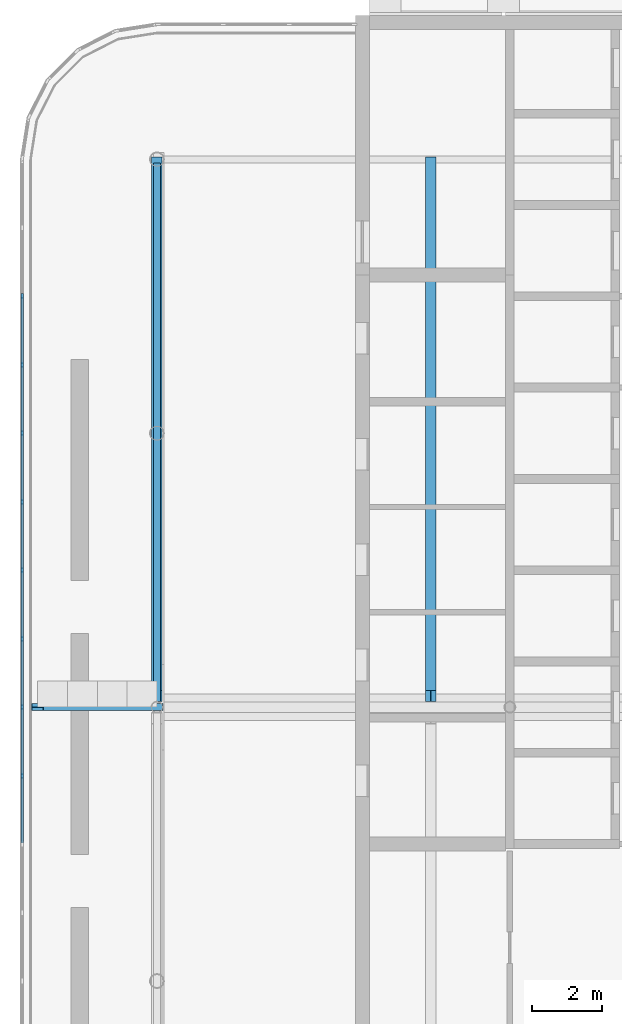
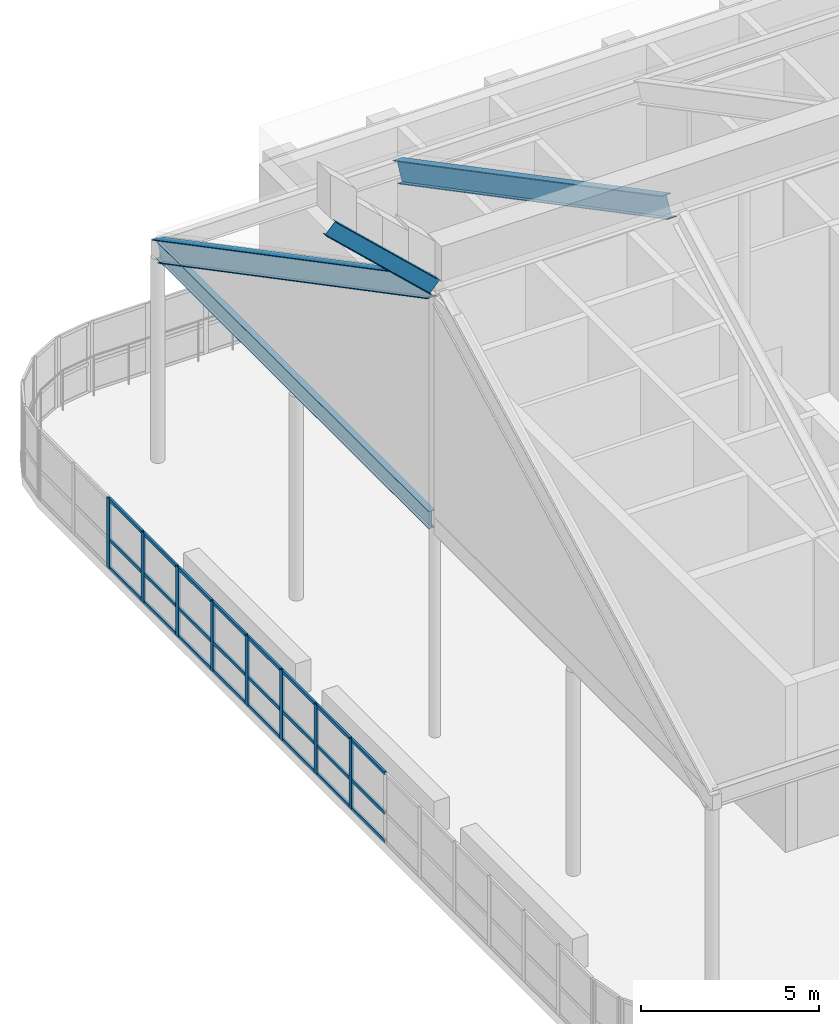
# One storey, part 7 of 19: 32 members, 4 beams, 1 element without a shape of its own.
"""IFC4 building model written with IfcOpenShell, lengths in metres."""

from ifc_helpers import new_model, si_unit, direction, frame, origin, origin_2d, place, context, subcontext, project, spatial, rectangle, i_section, extrude, material, material_profile, profile_set, type_object, element, aggregate, save


model = new_model("IFC4")

# Units and contexts
model_context = context("Model", 3, precision=1e-05, world=origin(), true_north=direction((0.0, 1.0)))
body_context = subcontext(model_context, "Body", "Model", "MODEL_VIEW")
ifc_project = project(units=[si_unit("LENGTHUNIT", "METRE"), si_unit("AREAUNIT", "SQUARE_METRE"), si_unit("VOLUMEUNIT", "CUBIC_METRE"), si_unit("PLANEANGLEUNIT", "RADIAN"), si_unit("MASSUNIT", "GRAM", prefix="KILO")], contexts=[model_context])

# Site, building, storey
site_placement = place(None, origin())
site = spatial("IfcSite", under=ifc_project, at=site_placement, CompositionType="ELEMENT")
building_placement = place(site_placement, origin())
building = spatial("IfcBuilding", under=site, at=building_placement, Name="Ludao Terraces", CompositionType="ELEMENT")
storey_placement = place(building_placement, frame((0.0, 0.0, 266.39990234375)))
storey = spatial("IfcBuildingStorey", under=building, at=storey_placement, Name="L73", CompositionType="ELEMENT", Elevation=266.39990234375)

# Beams
ifc_material_1 = material(Name="Steel Q355", Category="steel")
ifc_material_profile_1 = material_profile(ifc_material_1, i_section(OverallWidth=0.199951171875, OverallDepth=0.60009765625, WebThickness=0.010986328125, FlangeThickness=0.01708984375, at=origin_2d()), Name="HN 600X200X11X17")
ifc_profile_set_1 = profile_set([ifc_material_profile_1], Name="Steel Q355")
beam_type_1 = type_object("IfcBeamType", Name="Canopy eave beam HN 600x200x11x17 Q355", PredefinedType="BEAM", material=ifc_profile_set_1)
beam_1_placement = place(storey_placement, frame((69.39990234375, 65.16748046875, 7.29541015625), z_axis=(0.0, 1.0, 0.0), x_axis=(-1.0, 0.0, 0.0)))
element("IfcBeam", 1, at=beam_1_placement, inside=storey, type_object=beam_type_1, Name="Gable tie beam W north", PredefinedType="BEAM", context=body_context, shape_type="SweptSolid", body=[
    extrude(i_section(OverallWidth=0.199951171875, OverallDepth=0.60009765625, WebThickness=0.010986328125, FlangeThickness=0.01708984375, at=origin_2d()), origin(), (0.0, 0.0, 1.0), 15.33251953125),
])
ifc_material_profile_2 = material_profile(ifc_material_1, i_section(OverallWidth=0.300048828125, OverallDepth=0.699951171875, WebThickness=0.012939453125, FlangeThickness=0.02392578125, at=origin_2d()), Name="HN 700X300X13X24")
ifc_profile_set_2 = profile_set([ifc_material_profile_2], Name="Steel Q355")
beam_type_2 = type_object("IfcBeamType", Name="Canopy rafter HN 700x300x13x24 Q355", PredefinedType="BEAM", material=ifc_profile_set_2)
for number, where, z_axis, x_axis, name in (
    (2, (69.39990234375, 80.5, 7.252685546875), (0.0, -0.885167271236, 0.465272932732), (1.0, 0.0, 0.0), "Canopy rafter north 78"),
    (3, (77.199951171875, 80.5, 7.252685546875), (0.0, -0.885167271236, 0.465272932732), (1.0, 0.0, 0.0), "Canopy rafter north 156"),
):
    element("IfcBeam", number, at=place(storey_placement, frame(where, z_axis=z_axis, x_axis=x_axis)), inside=storey, type_object=beam_type_2, Name=name, PredefinedType="BEAM", context=body_context, shape_type="SweptSolid", body=[
        extrude(i_section(OverallWidth=0.300048828125, OverallDepth=0.699951171875, WebThickness=0.012939453125, FlangeThickness=0.02392578125, at=origin_2d()), origin(), (0.0, 0.0, 1.0), 17.151611328125),
    ])
ifc_material_profile_3 = material_profile(ifc_material_1, i_section(OverallWidth=0.199951171875, OverallDepth=0.5, WebThickness=0.010009765625, FlangeThickness=0.01611328125, at=origin_2d()), Name="HN 500X200X10X16")
ifc_profile_set_3 = profile_set([ifc_material_profile_3], Name="Steel Q355")
beam_type_3 = type_object("IfcBeamType", Name="Canopy tail beam HN 500x200x10x16 Q355", PredefinedType="BEAM", material=ifc_profile_set_3)
beam_2_placement = place(storey_placement, frame((69.39990234375, 65.0, 15.401611328125), z_axis=(-0.728351985283, 0.0, 0.685203170989), x_axis=(0.0, -1.0, 0.0)))
element("IfcBeam", 4, at=beam_2_placement, inside=storey, type_object=beam_type_3, Name="Canopy tail west", PredefinedType="BEAM", context=body_context, shape_type="SweptSolid", body=[
    extrude(i_section(OverallWidth=0.199951171875, OverallDepth=0.5, WebThickness=0.010009765625, FlangeThickness=0.01611328125, at=origin_2d()), origin(), (0.0, 0.0, 1.0), 4.66796875),
])

# Curtain wall, members
ifc_material_2 = material(Name="Aluminium curtain wall with fritted glass", Category="aluminium")
curtain_wall_type = type_object("IfcCurtainWallType", Name="ENV CW6 crown screen glazing", PredefinedType="NOTDEFINED", material=ifc_material_2)
curtain_wall_placement = place(storey_placement, origin())
curtain_wall = element("IfcCurtainWall", 5, at=curtain_wall_placement, inside=storey, type_object=curtain_wall_type, Name="Deck windscreen W1", PredefinedType="NOTDEFINED")
ifc_material_3 = material(Name="Aluminium 6063-T6", Category="aluminium")
ifc_material_profile_4 = material_profile(ifc_material_3, rectangle(XDim=0.070068359375, YDim=0.159912109375, at=origin_2d()), Name="70 X 160")
ifc_profile_set_4 = profile_set([ifc_material_profile_4], Name="Aluminium 6063-T6")
member_type_1 = type_object("IfcMemberType", Name="ENV CW6 mullion 70x160", PredefinedType="MULLION", material=ifc_profile_set_4)
member_1_placement = place(storey_placement, frame((65.56005859375, 63.050048828125, 0.0), z_axis=(0.0, 0.0, 1.0), x_axis=(-1.0, 0.0, 0.0)))
member_1 = element("IfcMember", 6, at=member_1_placement, type_object=member_type_1, Name="CW6 mullion 8", PredefinedType="MULLION", context=body_context, shape_type="SweptSolid", body=[
    extrude(rectangle(XDim=0.070068359375, YDim=0.159912109375, at=origin_2d()), origin(), (0.0, 0.0, 1.0), 2.400146484375),
])
member_2_placement = place(storey_placement, frame((65.56005859375, 65.0, 0.0), z_axis=(0.0, 0.0, 1.0), x_axis=(-1.0, 0.0, 0.0)))
member_2 = element("IfcMember", 7, at=member_2_placement, type_object=member_type_1, Name="CW6 mullion 9", PredefinedType="MULLION", context=body_context, shape_type="SweptSolid", body=[
    extrude(rectangle(XDim=0.070068359375, YDim=0.159912109375, at=origin_2d()), origin(), (0.0, 0.0, 1.0), 2.400146484375),
])
member_3_placement = place(storey_placement, frame((65.56005859375, 66.949951171875, 0.0), z_axis=(0.0, 0.0, 1.0), x_axis=(-1.0, 0.0, 0.0)))
member_3 = element("IfcMember", 8, at=member_3_placement, type_object=member_type_1, Name="CW6 mullion 10", PredefinedType="MULLION", context=body_context, shape_type="SweptSolid", body=[
    extrude(rectangle(XDim=0.070068359375, YDim=0.159912109375, at=origin_2d()), origin(), (0.0, 0.0, 1.0), 2.400146484375),
])
member_4_placement = place(storey_placement, frame((65.56005859375, 68.89990234375, 0.0), z_axis=(0.0, 0.0, 1.0), x_axis=(-1.0, 0.0, 0.0)))
member_4 = element("IfcMember", 9, at=member_4_placement, type_object=member_type_1, Name="CW6 mullion 11", PredefinedType="MULLION", context=body_context, shape_type="SweptSolid", body=[
    extrude(rectangle(XDim=0.070068359375, YDim=0.159912109375, at=origin_2d()), origin(), (0.0, 0.0, 1.0), 2.400146484375),
])
member_5_placement = place(storey_placement, frame((65.56005859375, 70.85009765625, 0.0), z_axis=(0.0, 0.0, 1.0), x_axis=(-1.0, 0.0, 0.0)))
member_5 = element("IfcMember", 10, at=member_5_placement, type_object=member_type_1, Name="CW6 mullion 12", PredefinedType="MULLION", context=body_context, shape_type="SweptSolid", body=[
    extrude(rectangle(XDim=0.070068359375, YDim=0.159912109375, at=origin_2d()), origin(), (0.0, 0.0, 1.0), 2.400146484375),
])
member_6_placement = place(storey_placement, frame((65.56005859375, 72.800048828125, 0.0), z_axis=(0.0, 0.0, 1.0), x_axis=(-1.0, 0.0, 0.0)))
member_6 = element("IfcMember", 11, at=member_6_placement, type_object=member_type_1, Name="CW6 mullion 13", PredefinedType="MULLION", context=body_context, shape_type="SweptSolid", body=[
    extrude(rectangle(XDim=0.070068359375, YDim=0.159912109375, at=origin_2d()), origin(), (0.0, 0.0, 1.0), 2.400146484375),
])
member_7_placement = place(storey_placement, frame((65.56005859375, 74.75, 0.0), z_axis=(0.0, 0.0, 1.0), x_axis=(-1.0, 0.0, 0.0)))
member_7 = element("IfcMember", 12, at=member_7_placement, type_object=member_type_1, Name="CW6 mullion 14", PredefinedType="MULLION", context=body_context, shape_type="SweptSolid", body=[
    extrude(rectangle(XDim=0.070068359375, YDim=0.159912109375, at=origin_2d()), origin(), (0.0, 0.0, 1.0), 2.400146484375),
])
member_8_placement = place(storey_placement, frame((65.56005859375, 76.699951171875, 0.0), z_axis=(0.0, 0.0, 1.0), x_axis=(-1.0, 0.0, 0.0)))
member_8 = element("IfcMember", 13, at=member_8_placement, type_object=member_type_1, Name="CW6 mullion 15", PredefinedType="MULLION", context=body_context, shape_type="SweptSolid", body=[
    extrude(rectangle(XDim=0.070068359375, YDim=0.159912109375, at=origin_2d()), origin(), (0.0, 0.0, 1.0), 2.400146484375),
])
ifc_material_profile_5 = material_profile(ifc_material_3, rectangle(XDim=0.070068359375, YDim=0.110107421875, at=origin_2d()), Name="70 X 110")
ifc_profile_set_5 = profile_set([ifc_material_profile_5], Name="Aluminium 6063-T6")
member_type_2 = type_object("IfcMemberType", Name="ENV CW6 transom 70x110", PredefinedType="USERDEFINED", material=ifc_profile_set_5)
member_9_placement = place(storey_placement, frame((65.56005859375, 61.135009765625, 0.03515625), z_axis=(0.0, 1.0, 0.0), x_axis=(-1.0, 0.0, 0.0)))
member_9 = element("IfcMember", 14, at=member_9_placement, type_object=member_type_2, Name="CW6 transom 7.1", ObjectType="TRANSOM", PredefinedType="USERDEFINED", context=body_context, shape_type="SweptSolid", body=[
    extrude(rectangle(XDim=0.070068359375, YDim=0.110107421875, at=origin_2d()), origin(), (0.0, 0.0, 1.0), 1.8798828125),
])
member_10_placement = place(storey_placement, frame((65.56005859375, 61.135009765625, 1.0), z_axis=(0.0, 1.0, 0.0), x_axis=(-1.0, 0.0, 0.0)))
member_10 = element("IfcMember", 15, at=member_10_placement, type_object=member_type_2, Name="CW6 transom 7.2", ObjectType="TRANSOM", PredefinedType="USERDEFINED", context=body_context, shape_type="SweptSolid", body=[
    extrude(rectangle(XDim=0.070068359375, YDim=0.110107421875, at=origin_2d()), origin(), (0.0, 0.0, 1.0), 1.8798828125),
])
member_11_placement = place(storey_placement, frame((65.56005859375, 61.135009765625, 2.364990234375), z_axis=(0.0, 1.0, 0.0), x_axis=(-1.0, 0.0, 0.0)))
member_11 = element("IfcMember", 16, at=member_11_placement, type_object=member_type_2, Name="CW6 transom 7.3", ObjectType="TRANSOM", PredefinedType="USERDEFINED", context=body_context, shape_type="SweptSolid", body=[
    extrude(rectangle(XDim=0.070068359375, YDim=0.110107421875, at=origin_2d()), origin(), (0.0, 0.0, 1.0), 1.8798828125),
])
member_12_placement = place(storey_placement, frame((65.56005859375, 63.0849609375, 0.03515625), z_axis=(0.0, 1.0, 0.0), x_axis=(-1.0, 0.0, 0.0)))
member_12 = element("IfcMember", 17, at=member_12_placement, type_object=member_type_2, Name="CW6 transom 8.1", ObjectType="TRANSOM", PredefinedType="USERDEFINED", context=body_context, shape_type="SweptSolid", body=[
    extrude(rectangle(XDim=0.070068359375, YDim=0.110107421875, at=origin_2d()), origin(), (0.0, 0.0, 1.0), 1.880126953125),
])
member_13_placement = place(storey_placement, frame((65.56005859375, 63.0849609375, 1.0), z_axis=(0.0, 1.0, 0.0), x_axis=(-1.0, 0.0, 0.0)))
member_13 = element("IfcMember", 18, at=member_13_placement, type_object=member_type_2, Name="CW6 transom 8.2", ObjectType="TRANSOM", PredefinedType="USERDEFINED", context=body_context, shape_type="SweptSolid", body=[
    extrude(rectangle(XDim=0.070068359375, YDim=0.110107421875, at=origin_2d()), origin(), (0.0, 0.0, 1.0), 1.880126953125),
])
member_14_placement = place(storey_placement, frame((65.56005859375, 63.0849609375, 2.364990234375), z_axis=(0.0, 1.0, 0.0), x_axis=(-1.0, 0.0, 0.0)))
member_14 = element("IfcMember", 19, at=member_14_placement, type_object=member_type_2, Name="CW6 transom 8.3", ObjectType="TRANSOM", PredefinedType="USERDEFINED", context=body_context, shape_type="SweptSolid", body=[
    extrude(rectangle(XDim=0.070068359375, YDim=0.110107421875, at=origin_2d()), origin(), (0.0, 0.0, 1.0), 1.880126953125),
])
member_15_placement = place(storey_placement, frame((65.56005859375, 65.034912109375, 0.03515625), z_axis=(0.0, 1.0, 0.0), x_axis=(-1.0, 0.0, 0.0)))
member_15 = element("IfcMember", 20, at=member_15_placement, type_object=member_type_2, Name="CW6 transom 9.1", ObjectType="TRANSOM", PredefinedType="USERDEFINED", context=body_context, shape_type="SweptSolid", body=[
    extrude(rectangle(XDim=0.070068359375, YDim=0.110107421875, at=origin_2d()), origin(), (0.0, 0.0, 1.0), 1.880126953125),
])
member_16_placement = place(storey_placement, frame((65.56005859375, 65.034912109375, 1.0), z_axis=(0.0, 1.0, 0.0), x_axis=(-1.0, 0.0, 0.0)))
member_16 = element("IfcMember", 21, at=member_16_placement, type_object=member_type_2, Name="CW6 transom 9.2", ObjectType="TRANSOM", PredefinedType="USERDEFINED", context=body_context, shape_type="SweptSolid", body=[
    extrude(rectangle(XDim=0.070068359375, YDim=0.110107421875, at=origin_2d()), origin(), (0.0, 0.0, 1.0), 1.880126953125),
])
member_17_placement = place(storey_placement, frame((65.56005859375, 65.034912109375, 2.364990234375), z_axis=(0.0, 1.0, 0.0), x_axis=(-1.0, 0.0, 0.0)))
member_17 = element("IfcMember", 22, at=member_17_placement, type_object=member_type_2, Name="CW6 transom 9.3", ObjectType="TRANSOM", PredefinedType="USERDEFINED", context=body_context, shape_type="SweptSolid", body=[
    extrude(rectangle(XDim=0.070068359375, YDim=0.110107421875, at=origin_2d()), origin(), (0.0, 0.0, 1.0), 1.880126953125),
])
member_18_placement = place(storey_placement, frame((65.56005859375, 66.985107421875, 0.03515625), z_axis=(0.0, 1.0, 0.0), x_axis=(-1.0, 0.0, 0.0)))
member_18 = element("IfcMember", 23, at=member_18_placement, type_object=member_type_2, Name="CW6 transom 10.1", ObjectType="TRANSOM", PredefinedType="USERDEFINED", context=body_context, shape_type="SweptSolid", body=[
    extrude(rectangle(XDim=0.070068359375, YDim=0.110107421875, at=origin_2d()), origin(), (0.0, 0.0, 1.0), 1.8798828125),
])
member_19_placement = place(storey_placement, frame((65.56005859375, 66.985107421875, 1.0), z_axis=(0.0, 1.0, 0.0), x_axis=(-1.0, 0.0, 0.0)))
member_19 = element("IfcMember", 24, at=member_19_placement, type_object=member_type_2, Name="CW6 transom 10.2", ObjectType="TRANSOM", PredefinedType="USERDEFINED", context=body_context, shape_type="SweptSolid", body=[
    extrude(rectangle(XDim=0.070068359375, YDim=0.110107421875, at=origin_2d()), origin(), (0.0, 0.0, 1.0), 1.8798828125),
])
member_20_placement = place(storey_placement, frame((65.56005859375, 66.985107421875, 2.364990234375), z_axis=(0.0, 1.0, 0.0), x_axis=(-1.0, 0.0, 0.0)))
member_20 = element("IfcMember", 25, at=member_20_placement, type_object=member_type_2, Name="CW6 transom 10.3", ObjectType="TRANSOM", PredefinedType="USERDEFINED", context=body_context, shape_type="SweptSolid", body=[
    extrude(rectangle(XDim=0.070068359375, YDim=0.110107421875, at=origin_2d()), origin(), (0.0, 0.0, 1.0), 1.8798828125),
])
member_21_placement = place(storey_placement, frame((65.56005859375, 68.93505859375, 0.03515625), z_axis=(0.0, 1.0, 0.0), x_axis=(-1.0, 0.0, 0.0)))
member_21 = element("IfcMember", 26, at=member_21_placement, type_object=member_type_2, Name="CW6 transom 11.1", ObjectType="TRANSOM", PredefinedType="USERDEFINED", context=body_context, shape_type="SweptSolid", body=[
    extrude(rectangle(XDim=0.070068359375, YDim=0.110107421875, at=origin_2d()), origin(), (0.0, 0.0, 1.0), 1.8798828125),
])
member_22_placement = place(storey_placement, frame((65.56005859375, 68.93505859375, 1.0), z_axis=(0.0, 1.0, 0.0), x_axis=(-1.0, 0.0, 0.0)))
member_22 = element("IfcMember", 27, at=member_22_placement, type_object=member_type_2, Name="CW6 transom 11.2", ObjectType="TRANSOM", PredefinedType="USERDEFINED", context=body_context, shape_type="SweptSolid", body=[
    extrude(rectangle(XDim=0.070068359375, YDim=0.110107421875, at=origin_2d()), origin(), (0.0, 0.0, 1.0), 1.8798828125),
])
member_23_placement = place(storey_placement, frame((65.56005859375, 68.93505859375, 2.364990234375), z_axis=(0.0, 1.0, 0.0), x_axis=(-1.0, 0.0, 0.0)))
member_23 = element("IfcMember", 28, at=member_23_placement, type_object=member_type_2, Name="CW6 transom 11.3", ObjectType="TRANSOM", PredefinedType="USERDEFINED", context=body_context, shape_type="SweptSolid", body=[
    extrude(rectangle(XDim=0.070068359375, YDim=0.110107421875, at=origin_2d()), origin(), (0.0, 0.0, 1.0), 1.8798828125),
])
member_24_placement = place(storey_placement, frame((65.56005859375, 70.885009765625, 0.03515625), z_axis=(0.0, 1.0, 0.0), x_axis=(-1.0, 0.0, 0.0)))
member_24 = element("IfcMember", 29, at=member_24_placement, type_object=member_type_2, Name="CW6 transom 12.1", ObjectType="TRANSOM", PredefinedType="USERDEFINED", context=body_context, shape_type="SweptSolid", body=[
    extrude(rectangle(XDim=0.070068359375, YDim=0.110107421875, at=origin_2d()), origin(), (0.0, 0.0, 1.0), 1.8798828125),
])
member_25_placement = place(storey_placement, frame((65.56005859375, 70.885009765625, 1.0), z_axis=(0.0, 1.0, 0.0), x_axis=(-1.0, 0.0, 0.0)))
member_25 = element("IfcMember", 30, at=member_25_placement, type_object=member_type_2, Name="CW6 transom 12.2", ObjectType="TRANSOM", PredefinedType="USERDEFINED", context=body_context, shape_type="SweptSolid", body=[
    extrude(rectangle(XDim=0.070068359375, YDim=0.110107421875, at=origin_2d()), origin(), (0.0, 0.0, 1.0), 1.8798828125),
])
member_26_placement = place(storey_placement, frame((65.56005859375, 70.885009765625, 2.364990234375), z_axis=(0.0, 1.0, 0.0), x_axis=(-1.0, 0.0, 0.0)))
member_26 = element("IfcMember", 31, at=member_26_placement, type_object=member_type_2, Name="CW6 transom 12.3", ObjectType="TRANSOM", PredefinedType="USERDEFINED", context=body_context, shape_type="SweptSolid", body=[
    extrude(rectangle(XDim=0.070068359375, YDim=0.110107421875, at=origin_2d()), origin(), (0.0, 0.0, 1.0), 1.8798828125),
])
member_27_placement = place(storey_placement, frame((65.56005859375, 72.8349609375, 0.03515625), z_axis=(0.0, 1.0, 0.0), x_axis=(-1.0, 0.0, 0.0)))
member_27 = element("IfcMember", 32, at=member_27_placement, type_object=member_type_2, Name="CW6 transom 13.1", ObjectType="TRANSOM", PredefinedType="USERDEFINED", context=body_context, shape_type="SweptSolid", body=[
    extrude(rectangle(XDim=0.070068359375, YDim=0.110107421875, at=origin_2d()), origin(), (0.0, 0.0, 1.0), 1.880126953125),
])
member_28_placement = place(storey_placement, frame((65.56005859375, 72.8349609375, 1.0), z_axis=(0.0, 1.0, 0.0), x_axis=(-1.0, 0.0, 0.0)))
member_28 = element("IfcMember", 33, at=member_28_placement, type_object=member_type_2, Name="CW6 transom 13.2", ObjectType="TRANSOM", PredefinedType="USERDEFINED", context=body_context, shape_type="SweptSolid", body=[
    extrude(rectangle(XDim=0.070068359375, YDim=0.110107421875, at=origin_2d()), origin(), (0.0, 0.0, 1.0), 1.880126953125),
])
member_29_placement = place(storey_placement, frame((65.56005859375, 72.8349609375, 2.364990234375), z_axis=(0.0, 1.0, 0.0), x_axis=(-1.0, 0.0, 0.0)))
member_29 = element("IfcMember", 34, at=member_29_placement, type_object=member_type_2, Name="CW6 transom 13.3", ObjectType="TRANSOM", PredefinedType="USERDEFINED", context=body_context, shape_type="SweptSolid", body=[
    extrude(rectangle(XDim=0.070068359375, YDim=0.110107421875, at=origin_2d()), origin(), (0.0, 0.0, 1.0), 1.880126953125),
])
member_30_placement = place(storey_placement, frame((65.56005859375, 74.784912109375, 0.03515625), z_axis=(0.0, 1.0, 0.0), x_axis=(-1.0, 0.0, 0.0)))
member_30 = element("IfcMember", 35, at=member_30_placement, type_object=member_type_2, Name="CW6 transom 14.1", ObjectType="TRANSOM", PredefinedType="USERDEFINED", context=body_context, shape_type="SweptSolid", body=[
    extrude(rectangle(XDim=0.070068359375, YDim=0.110107421875, at=origin_2d()), origin(), (0.0, 0.0, 1.0), 1.880126953125),
])
member_31_placement = place(storey_placement, frame((65.56005859375, 74.784912109375, 1.0), z_axis=(0.0, 1.0, 0.0), x_axis=(-1.0, 0.0, 0.0)))
member_31 = element("IfcMember", 36, at=member_31_placement, type_object=member_type_2, Name="CW6 transom 14.2", ObjectType="TRANSOM", PredefinedType="USERDEFINED", context=body_context, shape_type="SweptSolid", body=[
    extrude(rectangle(XDim=0.070068359375, YDim=0.110107421875, at=origin_2d()), origin(), (0.0, 0.0, 1.0), 1.880126953125),
])
member_32_placement = place(storey_placement, frame((65.56005859375, 74.784912109375, 2.364990234375), z_axis=(0.0, 1.0, 0.0), x_axis=(-1.0, 0.0, 0.0)))
member_32 = element("IfcMember", 37, at=member_32_placement, type_object=member_type_2, Name="CW6 transom 14.3", ObjectType="TRANSOM", PredefinedType="USERDEFINED", context=body_context, shape_type="SweptSolid", body=[
    extrude(rectangle(XDim=0.070068359375, YDim=0.110107421875, at=origin_2d()), origin(), (0.0, 0.0, 1.0), 1.880126953125),
])
aggregate(curtain_wall, [member_1, member_2, member_3, member_4, member_5, member_6, member_7, member_8, member_9, member_10, member_11, member_12, member_13, member_14, member_15, member_16, member_17, member_18, member_19, member_20, member_21, member_22, member_23, member_24, member_25, member_26, member_27, member_28, member_29, member_30, member_31, member_32])

save(model, "model.ifc")
